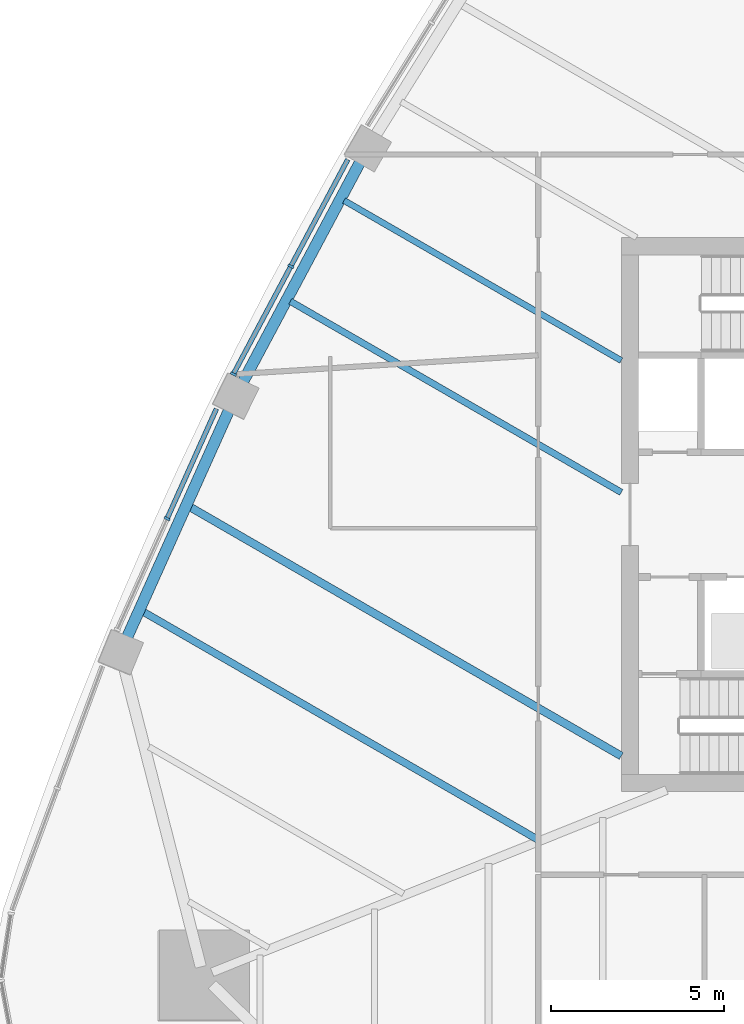
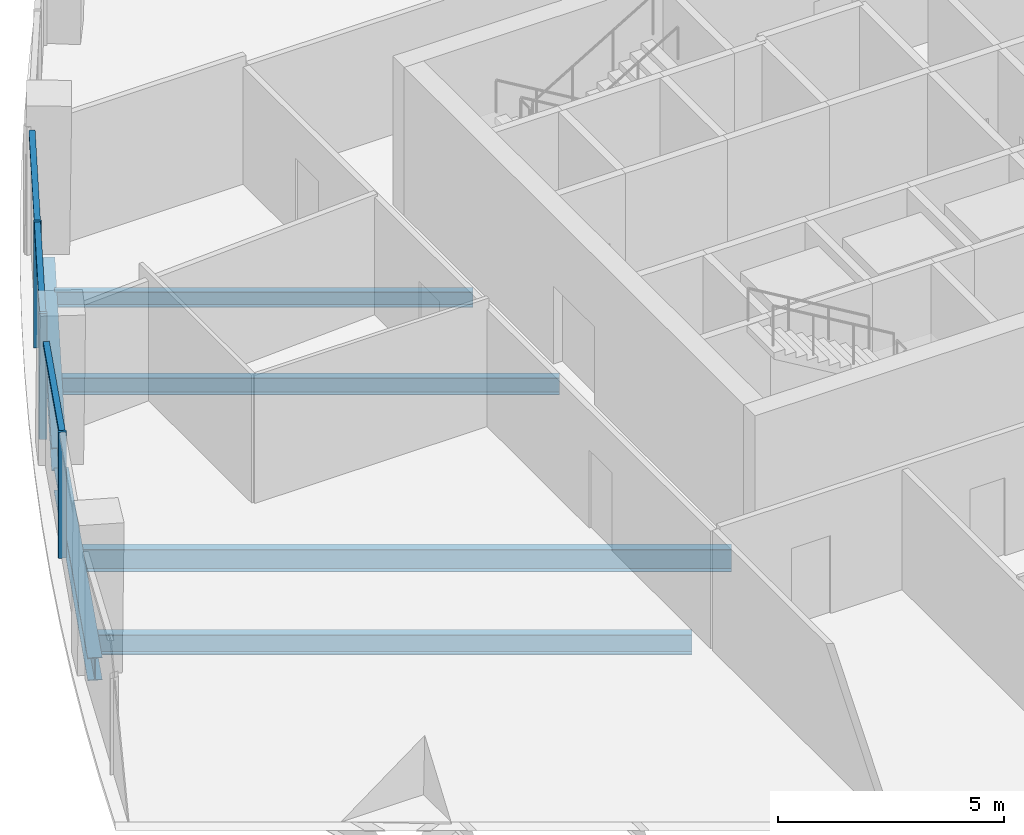
# One storey, part 3 of 16: 6 beams, 6 members, 2 elements without a shape of their own.
"""IFC4 building model written with IfcOpenShell, lengths in metres."""

from ifc_helpers import new_model, si_unit, direction, frame, origin, origin_2d, place, context, subcontext, project, spatial, rectangle, i_section, extrude, material, layer, layer_set, material_profile, profile_set, type_object, element, aggregate, save


model = new_model("IFC4")

# Units and contexts
model_context = context("Model", 3, precision=1e-05, world=origin(), true_north=direction((0.0, 1.0)))
body_context = subcontext(model_context, "Body", "Model", "MODEL_VIEW")
ifc_project = project(units=[si_unit("LENGTHUNIT", "METRE"), si_unit("AREAUNIT", "SQUARE_METRE"), si_unit("VOLUMEUNIT", "CUBIC_METRE"), si_unit("PLANEANGLEUNIT", "RADIAN"), si_unit("MASSUNIT", "GRAM", prefix="KILO")], contexts=[model_context])

# Site, building, storey
site_placement = place(None, origin())
site = spatial("IfcSite", under=ifc_project, at=site_placement, CompositionType="ELEMENT")
building_placement = place(site_placement, origin())
building = spatial("IfcBuilding", under=site, at=building_placement, Name="Sierra Prisma Convention Tower", CompositionType="ELEMENT")
storey_placement = place(building_placement, frame((0.0, 0.0, 197.800048828125)))
storey = spatial("IfcBuildingStorey", under=building, at=storey_placement, Name="L44", CompositionType="ELEMENT", Elevation=197.800048828125)

# Curtain wall, members
ifc_material_1 = material(Name="Aluminium and glass curtain wall", Category="aluminium")
ifc_layer = layer(ifc_material_1, 0.179931640625)
ifc_layer_set = layer_set([ifc_layer], Name="CW-1 Plain shaft curtain wall")
curtain_wall_type = type_object("IfcCurtainWallType", Name="CW-1 Plain shaft curtain wall", PredefinedType="NOTDEFINED", material=ifc_layer_set)
curtain_wall_1_placement = place(storey_placement, origin())
curtain_wall_1 = element("IfcCurtainWall", 1, at=curtain_wall_1_placement, inside=storey, type_object=curtain_wall_type, Name="CW-1 NW4 L44", PredefinedType="NOTDEFINED")
ifc_material_2 = material(Name="Aluminium 6063-T6 bronze anodised", Category="aluminium")
ifc_material_profile_1 = material_profile(ifc_material_2, rectangle(XDim=0.179931640625, YDim=0.070068359375, at=origin_2d()), Name="ALU MULLION 70x180")
ifc_profile_set_1 = profile_set([ifc_material_profile_1], Name="Aluminium 6063-T6 bronze anodised")
member_type_1 = type_object("IfcMemberType", Name="CW mullion bronze", PredefinedType="MULLION", material=ifc_profile_set_1)
member_1_placement = place(storey_placement, frame((-20.5419921875, 7.170654296875, 0.0), z_axis=(0.0, 0.0, 1.0), x_axis=(0.882474339128, -0.470360543393, 0.0)))
member_1 = element("IfcMember", 2, at=member_1_placement, type_object=member_type_1, Name="CW-1 mullion NW4.2", PredefinedType="MULLION", context=body_context, shape_type="SweptSolid", body=[
    extrude(rectangle(XDim=0.179931640625, YDim=0.070068359375, at=origin_2d()), origin(), (0.0, 0.0, 1.0), 3.39990234375),
])
member_2_placement = place(storey_placement, frame((-22.201416015625, 4.05712890625, 0.0), z_axis=(0.0, 0.0, 1.0), x_axis=(0.882474339128, -0.470360543393, 0.0)))
member_2 = element("IfcMember", 3, at=member_2_placement, type_object=member_type_1, Name="CW-1 mullion NW4.3", PredefinedType="MULLION", context=body_context, shape_type="SweptSolid", body=[
    extrude(rectangle(XDim=0.179931640625, YDim=0.070068359375, at=origin_2d()), origin(), (0.0, 0.0, 1.0), 3.39990234375),
])

# Curtain wall, member
curtain_wall_2_placement = place(storey_placement, origin())
curtain_wall_2 = element("IfcCurtainWall", 4, at=curtain_wall_2_placement, inside=storey, type_object=curtain_wall_type, Name="CW-1 NW5 L44", PredefinedType="NOTDEFINED")
member_3_placement = place(storey_placement, frame((-24.1162109375, -0.118408203125, 0.0), z_axis=(0.0, 0.0, 1.0), x_axis=(0.912312413332, -0.409494884559, 0.0)))
member_3 = element("IfcMember", 5, at=member_3_placement, type_object=member_type_1, Name="CW-1 mullion NW5.2", PredefinedType="MULLION", context=body_context, shape_type="SweptSolid", body=[
    extrude(rectangle(XDim=0.179931640625, YDim=0.070068359375, at=origin_2d()), origin(), (0.0, 0.0, 1.0), 3.39990234375),
])

# Member
ifc_material_3 = material(Name="Aluminium 6063-T6 bronze anodised", Category="aluminium")
ifc_material_profile_2 = material_profile(ifc_material_3, rectangle(XDim=0.139892578125, YDim=0.1201171875, at=origin_2d()), Name="ALU TRANSOM 120x140")
ifc_profile_set_2 = profile_set([ifc_material_profile_2], Name="Aluminium 6063-T6 bronze anodised")
member_type_2 = type_object("IfcMemberType", Name="CW transom bronze", PredefinedType="USERDEFINED", material=ifc_profile_set_2)
member_4_placement = place(storey_placement, frame((-18.898681640625, 10.25341796875, 3.33984375), z_axis=(-0.47038669227, -0.882460401228, 0.0), x_axis=(0.882460401228, -0.47038669227, 0.0)))
member_4 = element("IfcMember", 6, at=member_4_placement, type_object=member_type_2, Name="CW-1 transom NW4.1", ObjectType="TRANSOM", PredefinedType="USERDEFINED", context=body_context, shape_type="SweptSolid", body=[
    extrude(rectangle(XDim=0.139892578125, YDim=0.1201171875, at=origin_2d()), origin(), (0.0, 0.0, 1.0), 3.458251953125),
])

member_5_placement = place(storey_placement, frame((-20.558349609375, 7.139892578125, 3.33984375), z_axis=(-0.470357389259, -0.88247602028, 0.0), x_axis=(0.88247602028, -0.470357389259, 0.0)))
member_5 = element("IfcMember", 7, at=member_5_placement, type_object=member_type_2, Name="CW-1 transom NW4.2", ObjectType="TRANSOM", PredefinedType="USERDEFINED", context=body_context, shape_type="SweptSolid", body=[
    extrude(rectangle(XDim=0.139892578125, YDim=0.1201171875, at=origin_2d()), origin(), (0.0, 0.0, 1.0), 3.45849609375),
])

aggregate(curtain_wall_1, [member_1, member_2, member_4, member_5])

member_6_placement = place(storey_placement, frame((-22.6923828125, 3.053955078125, 3.33984375), z_axis=(-0.409518124924, -0.912301981451, 0.0), x_axis=(0.912301981451, -0.409518124924, 0.0)))
member_6 = element("IfcMember", 8, at=member_6_placement, type_object=member_type_2, Name="CW-1 transom NW5.1", ObjectType="TRANSOM", PredefinedType="USERDEFINED", context=body_context, shape_type="SweptSolid", body=[
    extrude(rectangle(XDim=0.139892578125, YDim=0.1201171875, at=origin_2d()), origin(), (0.0, 0.0, 1.0), 3.442138671875),
])

aggregate(curtain_wall_2, [member_3, member_6])

# Beams
ifc_material_4 = material(Name="Steel ASTM A992 Gr 50", Category="steel")
ifc_material_profile_3 = material_profile(ifc_material_4, i_section(OverallWidth=0.177978515625, OverallDepth=0.406982421875, WebThickness=0.0078125, FlangeThickness=0.0126953125, at=origin_2d()), Name="W410x60")
ifc_profile_set_3 = profile_set([ifc_material_profile_3], Name="Steel ASTM A992 Gr 50")
beam_type_1 = type_object("IfcBeamType", Name="Floor joist W410x60", PredefinedType="JOIST", material=ifc_profile_set_3)
beam_1_placement = place(storey_placement, frame((-19.005859375, 9.06982421875, -0.353515625), z_axis=(0.866030778866, -0.49999068997, 0.0), x_axis=(0.49999068997, 0.866030778866, 0.0)))
element("IfcBeam", 9, at=beam_1_placement, inside=storey, type_object=beam_type_1, Name="Floor joist L44 NW08", PredefinedType="JOIST", context=body_context, shape_type="SweptSolid", body=[
    extrude(i_section(OverallWidth=0.177978515625, OverallDepth=0.406982421875, WebThickness=0.0078125, FlangeThickness=0.0126953125, at=origin_2d()), origin(), (0.0, 0.0, 1.0), 9.244384765625),
])
ifc_material_5 = material(Name="Steel ASTM A992 Gr 50", Category="steel")
ifc_material_profile_4 = material_profile(ifc_material_5, i_section(OverallWidth=0.18994140625, OverallDepth=0.45703125, WebThickness=0.009033203125, FlangeThickness=0.014404296875, at=origin_2d()), Name="W460x74")
ifc_profile_set_4 = profile_set([ifc_material_profile_4], Name="Steel ASTM A992 Gr 50")
beam_type_2 = type_object("IfcBeamType", Name="Floor joist W460x74", PredefinedType="JOIST", material=ifc_profile_set_4)
beam_2_placement = place(storey_placement, frame((-20.55712890625, 6.1591796875, -0.378662109375), z_axis=(0.866024959656, -0.500000769253, 0.0), x_axis=(0.500000769253, 0.866024959656, 0.0)))
element("IfcBeam", 10, at=beam_2_placement, inside=storey, type_object=beam_type_2, Name="Floor joist L44 NW09", PredefinedType="JOIST", context=body_context, shape_type="SweptSolid", body=[
    extrude(i_section(OverallWidth=0.18994140625, OverallDepth=0.45703125, WebThickness=0.009033203125, FlangeThickness=0.014404296875, at=origin_2d()), origin(), (0.0, 0.0, 1.0), 11.03564453125),
])
ifc_material_6 = material(Name="Steel ASTM A992 Gr 50", Category="steel")
ifc_material_profile_5 = material_profile(ifc_material_6, i_section(OverallWidth=0.208984375, OverallDepth=0.532958984375, WebThickness=0.01025390625, FlangeThickness=0.015625, at=origin_2d()), Name="W530x92")
ifc_profile_set_5 = profile_set([ifc_material_profile_5], Name="Steel ASTM A992 Gr 50")
beam_type_3 = type_object("IfcBeamType", Name="Floor joist W530x92", PredefinedType="JOIST", material=ifc_profile_set_5)
beam_3_placement = place(storey_placement, frame((-24.81396484375, -2.80224609375, -0.41650390625), z_axis=(0.866022351041, -0.50000528747, 0.0), x_axis=(0.50000528747, 0.866022351041, 0.0)))
element("IfcBeam", 11, at=beam_3_placement, inside=storey, type_object=beam_type_3, Name="Floor joist L44 NW12", PredefinedType="JOIST", context=body_context, shape_type="SweptSolid", body=[
    extrude(i_section(OverallWidth=0.208984375, OverallDepth=0.532958984375, WebThickness=0.01025390625, FlangeThickness=0.015625, at=origin_2d()), origin(), (0.0, 0.0, 1.0), 13.175537109375),
])
ifc_material_7 = material(Name="Steel ASTM A992 Gr 50", Category="steel")
ifc_material_profile_6 = material_profile(ifc_material_7, i_section(OverallWidth=0.22802734375, OverallDepth=0.60302734375, WebThickness=0.010498046875, FlangeThickness=0.014892578125, at=origin_2d()), Name="W610x101")
ifc_profile_set_6 = profile_set([ifc_material_profile_6], Name="Steel ASTM A992 Gr 50")
beam_type_4 = type_object("IfcBeamType", Name="Floor joist W610x101", PredefinedType="JOIST", material=ifc_profile_set_6)
beam_4_placement = place(storey_placement, frame((-23.45703125, 0.220703125, -0.45166015625), z_axis=(0.86602334692, -0.500003562577, 0.0), x_axis=(0.500003562577, 0.86602334692, 0.0)))
element("IfcBeam", 12, at=beam_4_placement, inside=storey, type_object=beam_type_4, Name="Floor joist L44 NW11", PredefinedType="JOIST", context=body_context, shape_type="SweptSolid", body=[
    extrude(i_section(OverallWidth=0.22802734375, OverallDepth=0.60302734375, WebThickness=0.010498046875, FlangeThickness=0.014892578125, at=origin_2d()), origin(), (0.0, 0.0, 1.0), 14.38427734375),
])
ifc_material_8 = material(Name="Steel ASTM A992 Gr 50", Category="steel")
ifc_material_profile_7 = material_profile(ifc_material_8, i_section(OverallWidth=0.324951171875, OverallDepth=0.615966796875, WebThickness=0.013916015625, FlangeThickness=0.021484375, at=origin_2d()), Name="W610x174")
ifc_profile_set_7 = profile_set([ifc_material_profile_7], Name="Steel ASTM A992 Gr 50")
beam_type_5 = type_object("IfcBeamType", Name="Spandrel beam W610x174", PredefinedType="BEAM", material=ifc_profile_set_7)
beam_5_placement = place(storey_placement, frame((-18.506591796875, 10.245849609375, -0.4580078125), z_axis=(-0.470352171753, -0.882478801177, 0.0), x_axis=(0.882478801177, -0.470352171753, 0.0)))
element("IfcBeam", 13, at=beam_5_placement, inside=storey, type_object=beam_type_5, Name="Spandrel L44-16", PredefinedType="BEAM", context=body_context, shape_type="SweptSolid", body=[
    extrude(i_section(OverallWidth=0.324951171875, OverallDepth=0.615966796875, WebThickness=0.013916015625, FlangeThickness=0.021484375, at=origin_2d()), origin(), (0.0, 0.0, 1.0), 7.3544921875),
])
beam_6_placement = place(storey_placement, frame((-22.300537109375, 3.072998046875, -0.4580078125), z_axis=(-0.409486663233, -0.912316103461, 0.0), x_axis=(0.912316103461, -0.409486663233, 0.0)))
element("IfcBeam", 14, at=beam_6_placement, inside=storey, type_object=beam_type_5, Name="Spandrel L44-17", PredefinedType="BEAM", context=body_context, shape_type="SweptSolid", body=[
    extrude(i_section(OverallWidth=0.324951171875, OverallDepth=0.615966796875, WebThickness=0.013916015625, FlangeThickness=0.021484375, at=origin_2d()), origin(), (0.0, 0.0, 1.0), 7.35498046875),
])

save(model, "model.ifc")
